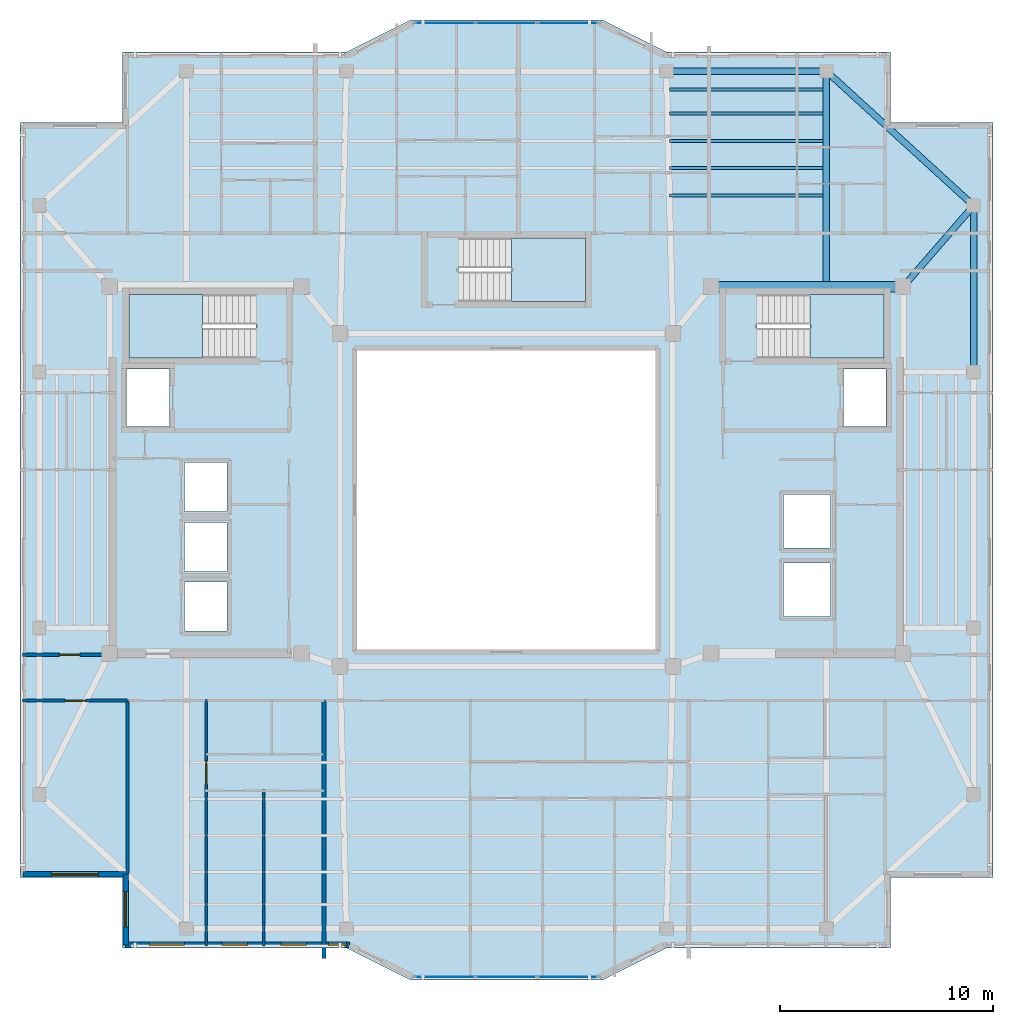
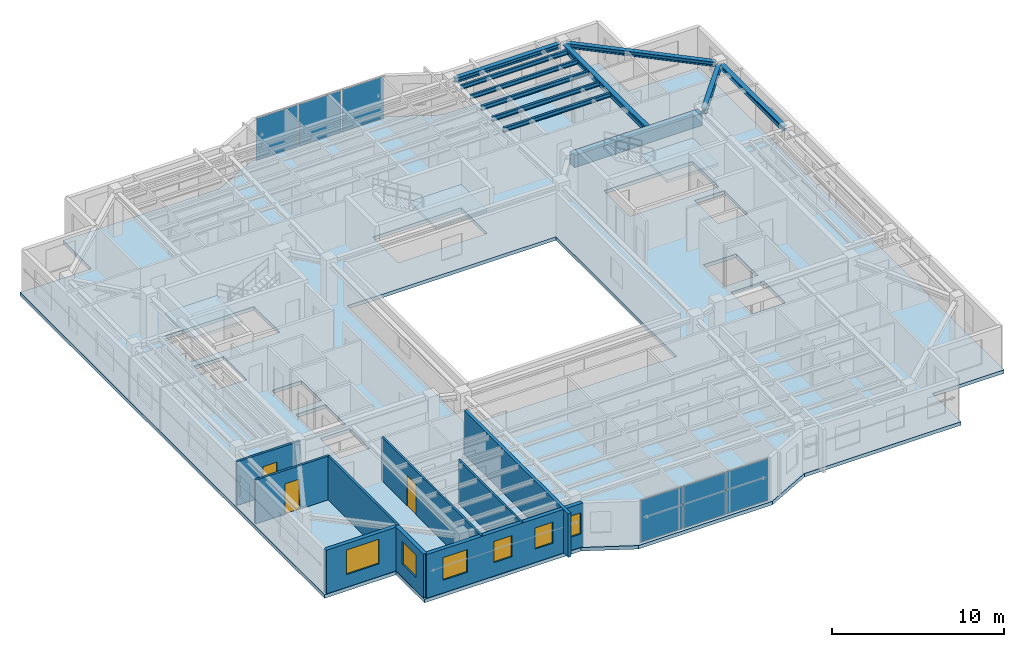
# One storey, part 5 of 15: 11 beams, 9 walls, 6 plates, 6 windows, 4 slabs, 3 doors, 9 openings, 5 elements without a shape of their own.
"""IFC4 building model written with IfcOpenShell, lengths in metres."""

from ifc_helpers import new_model, si_unit, direction, frame, frame_2d, origin, origin_2d, place, context, subcontext, project, spatial, polyline, rectangle, i_section, outline, extrude, material, layer, layer_set, material_profile, profile_set, type_object, element, fill, aggregate, save


model = new_model("IFC4")

# Units and contexts
model_context = context("Model", 3, precision=1e-05, world=origin(), true_north=direction((0.0, 1.0)))
body_context = subcontext(model_context, "Body", "Model", "MODEL_VIEW")
ifc_project = project(units=[si_unit("LENGTHUNIT", "METRE"), si_unit("AREAUNIT", "SQUARE_METRE"), si_unit("VOLUMEUNIT", "CUBIC_METRE"), si_unit("PLANEANGLEUNIT", "RADIAN"), si_unit("MASSUNIT", "GRAM", prefix="KILO")], contexts=[model_context])

# Site, building, storey
site_placement = place(None, origin())
site = spatial("IfcSite", under=ifc_project, at=site_placement, CompositionType="ELEMENT")
building_placement = place(site_placement, origin())
building = spatial("IfcBuilding", under=site, at=building_placement, Name="Tarnavaz Court Tower", CompositionType="ELEMENT")
storey_placement = place(building_placement, frame((0.0, 0.0, 244.85009765625)))
storey = spatial("IfcBuildingStorey", under=building, at=storey_placement, Name="L66", CompositionType="ELEMENT", Elevation=244.85009765625)

# Beams
ifc_material_1 = material(Name="Concrete C50/60", Category="concrete")
ifc_material_profile_1 = material_profile(ifc_material_1, rectangle(XDim=0.5, YDim=0.85009765625, at=origin_2d()), Name="RC 500X850")
ifc_profile_set_1 = profile_set([ifc_material_profile_1], Name="Concrete C50/60")
beam_type_1 = type_object("IfcBeamType", Name="BM-CB850", PredefinedType="LINTEL", material=ifc_profile_set_1)
beam_1_placement = place(storey_placement, frame((18.3798828125, 10.0, 2.6748046875), z_axis=(-1.0, 0.0, 0.0), x_axis=(0.0, -1.0, 0.0)))
element("IfcBeam", 1, at=beam_1_placement, inside=storey, type_object=beam_type_1, Name="L66 Beam IN-CE-NO-CE-NI", PredefinedType="LINTEL", context=body_context, shape_type="SweptSolid", body=[
    extrude(rectangle(XDim=0.5, YDim=0.85009765625, at=origin_2d()), origin(), (0.0, 0.0, 1.0), 8.559814453125),
])
ifc_material_2 = material(Name="Steel S355", Category="steel")
ifc_material_profile_2 = material_profile(ifc_material_2, i_section(OverallWidth=0.300048828125, OverallDepth=0.39990234375, WebThickness=0.013427734375, FlangeThickness=0.02392578125, FilletRadius=0.027099609375, at=origin_2d()), Name="HEB 400")
ifc_profile_set_2 = profile_set([ifc_material_profile_2], Name="Steel S355")
beam_type_2 = type_object("IfcBeamType", Name="BM-G-HEB400", PredefinedType="USERDEFINED", material=ifc_profile_set_2)
beam_2_placement = place(storey_placement, frame((15.0, 10.0400390625, 2.89990234375), z_axis=(0.0, 1.0, 0.0), x_axis=(-1.0, 0.0, 0.0)))
element("IfcBeam", 2, at=beam_2_placement, inside=storey, type_object=beam_type_2, Name="L66 Beam RG-04", ObjectType="GIRDER", PredefinedType="USERDEFINED", context=body_context, shape_type="SweptSolid", body=[
    extrude(i_section(OverallWidth=0.300048828125, OverallDepth=0.39990234375, WebThickness=0.013427734375, FlangeThickness=0.02392578125, FilletRadius=0.027099609375, at=origin_2d()), origin(), (0.0, 0.0, 1.0), 9.83984375),
])
beam_3_placement = place(storey_placement, frame((18.744384765625, 10.166015625, 2.89990234375), z_axis=(0.65565475567, 0.755060819648, 0.0), x_axis=(-0.755060819648, 0.65565475567, 0.0)))
element("IfcBeam", 3, at=beam_3_placement, inside=storey, type_object=beam_type_2, Name="L66 Beam RG-12", ObjectType="GIRDER", PredefinedType="USERDEFINED", context=body_context, shape_type="SweptSolid", body=[
    extrude(i_section(OverallWidth=0.300048828125, OverallDepth=0.39990234375, WebThickness=0.013427734375, FlangeThickness=0.02392578125, FilletRadius=0.027099609375, at=origin_2d()), origin(), (0.0, 0.0, 1.0), 4.5927734375),
])
ifc_material_profile_3 = material_profile(ifc_material_2, i_section(OverallWidth=0.14990234375, OverallDepth=0.300048828125, WebThickness=0.007080078125, FlangeThickness=0.0107421875, FilletRadius=0.014892578125, at=origin_2d()), Name="IPE 300")
ifc_profile_set_3 = profile_set([ifc_material_profile_3], Name="Steel S355")
beam_type_3 = type_object("IfcBeamType", Name="BM-J-IPE300", PredefinedType="JOIST", material=ifc_profile_set_3)
for number, where, z_axis, x_axis, name in (
    (4, (7.64990234375, 14.278076171875, 2.949951171875), (1.0, 0.0, 0.0), (0.0, 1.0, 0.0), "L66 Beam JN1-3"),
    (5, (7.64990234375, 15.555908203125, 2.949951171875), (1.0, 0.0, 0.0), (0.0, 1.0, 0.0), "L66 Beam JN2-3"),
    (6, (7.64990234375, 16.833984375, 2.949951171875), (1.0, 0.0, 0.0), (0.0, 1.0, 0.0), "L66 Beam JN3-3"),
    (7, (7.64990234375, 18.112060546875, 2.949951171875), (1.0, 0.0, 0.0), (0.0, 1.0, 0.0), "L66 Beam JN4-3"),
    (8, (7.64990234375, 19.248046875, 2.949951171875), (1.0, 0.0, 0.0), (0.0, 1.0, 0.0), "L66 Beam JN5-3"),
):
    element("IfcBeam", number, at=place(storey_placement, frame(where, z_axis=z_axis, x_axis=x_axis)), inside=storey, type_object=beam_type_3, Name=name, PredefinedType="JOIST", context=body_context, shape_type="SweptSolid", body=[
        extrude(i_section(OverallWidth=0.14990234375, OverallDepth=0.300048828125, WebThickness=0.007080078125, FlangeThickness=0.0107421875, FilletRadius=0.014892578125, at=origin_2d()), origin(), (0.0, 0.0, 1.0), 7.2001953125),
    ])
ifc_material_profile_4 = material_profile(ifc_material_2, i_section(OverallWidth=0.300048828125, OverallDepth=0.330078125, WebThickness=0.009521484375, FlangeThickness=0.0166015625, FilletRadius=0.027099609375, at=origin_2d()), Name="HEA 340")
ifc_profile_set_4 = profile_set([ifc_material_profile_4], Name="Steel S355")
beam_type_4 = type_object("IfcBeamType", Name="BM-SP-HEA340", PredefinedType="BEAM", material=ifc_profile_set_4)
beam_4_placement = place(storey_placement, frame((7.719970703125, 20.10009765625, 2.934814453125), z_axis=(1.0, 0.0, 0.0), x_axis=(0.0, 1.0, 0.0)))
element("IfcBeam", 9, at=beam_4_placement, inside=storey, type_object=beam_type_4, Name="L66 Beam PR-PN-3-PN-4", PredefinedType="BEAM", context=body_context, shape_type="SweptSolid", body=[
    extrude(i_section(OverallWidth=0.300048828125, OverallDepth=0.330078125, WebThickness=0.009521484375, FlangeThickness=0.0166015625, FilletRadius=0.027099609375, at=origin_2d()), origin(), (0.0, 0.0, 1.0), 7.06005859375),
])
beam_5_placement = place(storey_placement, frame((21.89990234375, 6.219970703125, 2.934814453125), z_axis=(0.0, 1.0, 0.0), x_axis=(-1.0, 0.0, 0.0)))
element("IfcBeam", 10, at=beam_5_placement, inside=storey, type_object=beam_type_4, Name="L66 Beam PR-PE-3-PE-4", PredefinedType="BEAM", context=body_context, shape_type="SweptSolid", body=[
    extrude(i_section(OverallWidth=0.300048828125, OverallDepth=0.330078125, WebThickness=0.009521484375, FlangeThickness=0.0166015625, FilletRadius=0.027099609375, at=origin_2d()), origin(), (0.0, 0.0, 1.0), 7.360107421875),
])
beam_6_placement = place(storey_placement, frame((15.16259765625, 19.95166015625, 2.934814453125), z_axis=(0.738474214476, -0.674281717499, 0.0), x_axis=(0.674281717499, 0.738474214476, 0.0)))
element("IfcBeam", 11, at=beam_6_placement, inside=storey, type_object=beam_type_4, Name="L66 Beam PR-PN-4-PE-4", PredefinedType="BEAM", context=body_context, shape_type="SweptSolid", body=[
    extrude(i_section(OverallWidth=0.300048828125, OverallDepth=0.330078125, WebThickness=0.009521484375, FlangeThickness=0.0166015625, FilletRadius=0.027099609375, at=origin_2d()), origin(), (0.0, 0.0, 1.0), 8.9033203125),
])

# Curtain wall, plates
ifc_material_3 = material(Name="Anodised Aluminium 6063-T6 and Solar Low-E Glazing", Category="aluminium")
ifc_layer_1 = layer(ifc_material_3, 0.159912109375)
ifc_layer_set_1 = layer_set([ifc_layer_1], Name="Anodised Aluminium 6063-T6 and Solar Low-E Glazing")
curtain_wall_type = type_object("IfcCurtainWallType", Name="CW-SYS-03", PredefinedType="NOTDEFINED", material=ifc_layer_set_1)
curtain_wall_1_placement = place(storey_placement, origin())
curtain_wall_1 = element("IfcCurtainWall", 12, at=curtain_wall_1_placement, inside=storey, type_object=curtain_wall_type, Name="L66 Iwan Prow Curtain Wall 7", PredefinedType="NOTDEFINED")
ifc_material_4 = material(Name="Double-Glazed Solar Low-E Glass", Category="glass")
ifc_layer_2 = layer(ifc_material_4, 0.028076171875)
ifc_layer_set_2 = layer_set([ifc_layer_2], Name="Double-Glazed Solar Low-E Glass")
plate_type = type_object("IfcPlateType", Name="CW-PAN-GLZ28", PredefinedType="CURTAIN_PANEL", material=ifc_layer_set_2)
plate_1_placement = place(storey_placement, frame((-2.88134765625, 22.35009765625, 0.06494140625), z_axis=(0.0, 0.0, 1.0), x_axis=(1.0, 0.0, 0.0)))
plate_1 = element("IfcPlate", 13, at=plate_1_placement, type_object=plate_type, Name="CW panel 1.1", PredefinedType="CURTAIN_PANEL", context=body_context, shape_type="SweptSolid", body=[
    extrude(rectangle(XDim=2.78759765625, YDim=0.028076171875, at=origin_2d()), origin(), (0.0, 0.0, 1.0), 2.969970703125),
])
plate_2_placement = place(storey_placement, frame((0.0, 22.35009765625, 0.06494140625), z_axis=(0.0, 0.0, 1.0), x_axis=(1.0, 0.0, 0.0)))
plate_2 = element("IfcPlate", 14, at=plate_2_placement, type_object=plate_type, Name="CW panel 2.1", PredefinedType="CURTAIN_PANEL", context=body_context, shape_type="SweptSolid", body=[
    extrude(rectangle(XDim=2.824951171875, YDim=0.028076171875, at=origin_2d()), origin(), (0.0, 0.0, 1.0), 2.969970703125),
])
plate_3_placement = place(storey_placement, frame((2.88134765625, 22.35009765625, 0.06494140625), z_axis=(0.0, 0.0, 1.0), x_axis=(1.0, 0.0, 0.0)))
plate_3 = element("IfcPlate", 15, at=plate_3_placement, type_object=plate_type, Name="CW panel 3.1", PredefinedType="CURTAIN_PANEL", context=body_context, shape_type="SweptSolid", body=[
    extrude(rectangle(XDim=2.78759765625, YDim=0.028076171875, at=origin_2d()), origin(), (0.0, 0.0, 1.0), 2.969970703125),
])
aggregate(curtain_wall_1, [plate_1, plate_2, plate_3])

curtain_wall_2_placement = place(storey_placement, origin())
curtain_wall_2 = element("IfcCurtainWall", 16, at=curtain_wall_2_placement, inside=storey, type_object=curtain_wall_type, Name="L66 Iwan Prow Curtain Wall 17", PredefinedType="NOTDEFINED")
plate_4_placement = place(storey_placement, frame((2.88134765625, -22.35009765625, 0.06494140625), z_axis=(0.0, 0.0, 1.0), x_axis=(-1.0, 0.0, 0.0)))
plate_4 = element("IfcPlate", 17, at=plate_4_placement, type_object=plate_type, Name="CW panel 1.1", PredefinedType="CURTAIN_PANEL", context=body_context, shape_type="SweptSolid", body=[
    extrude(rectangle(XDim=2.78759765625, YDim=0.028076171875, at=origin_2d()), origin(), (0.0, 0.0, 1.0), 2.969970703125),
])
plate_5_placement = place(storey_placement, frame((0.0, -22.35009765625, 0.06494140625), z_axis=(0.0, 0.0, 1.0), x_axis=(-1.0, 0.0, 0.0)))
plate_5 = element("IfcPlate", 18, at=plate_5_placement, type_object=plate_type, Name="CW panel 2.1", PredefinedType="CURTAIN_PANEL", context=body_context, shape_type="SweptSolid", body=[
    extrude(rectangle(XDim=2.824951171875, YDim=0.028076171875, at=origin_2d()), origin(), (0.0, 0.0, 1.0), 2.969970703125),
])
plate_6_placement = place(storey_placement, frame((-2.88134765625, -22.35009765625, 0.06494140625), z_axis=(0.0, 0.0, 1.0), x_axis=(-1.0, 0.0, 0.0)))
plate_6 = element("IfcPlate", 19, at=plate_6_placement, type_object=plate_type, Name="CW panel 3.1", PredefinedType="CURTAIN_PANEL", context=body_context, shape_type="SweptSolid", body=[
    extrude(rectangle(XDim=2.78759765625, YDim=0.028076171875, at=origin_2d()), origin(), (0.0, 0.0, 1.0), 2.969970703125),
])
aggregate(curtain_wall_2, [plate_4, plate_5, plate_6])

# Stair, slab
ifc_material_5 = material(Name="Concrete C40/50", Category="concrete")
stair_type = type_object("IfcStairType", Name="ST-TWR-20R", PredefinedType="HALF_TURN_STAIR", material=ifc_material_5)
stair_1_placement = place(storey_placement, origin())
stair_1 = element("IfcStair", 20, at=stair_1_placement, inside=storey, type_object=stair_type, Name="L66 West Core Pressurized Exit Stair ST-W1", PredefinedType="HALF_TURN_STAIR")
ifc_layer_3 = layer(ifc_material_5, 0.199951171875)
ifc_layer_set_3 = layer_set([ifc_layer_3], Name="Concrete C40/50")
slab_type_1 = type_object("IfcSlabType", Name="SL-LAND-200", PredefinedType="LANDING", material=ifc_layer_set_3)
slab_1_placement = place(storey_placement, frame((0.0, 0.0, 1.474853515625)))
slab_1 = element("IfcSlab", 21, at=slab_1_placement, type_object=slab_type_1, Name="ST-W1 landing 1", PredefinedType="LANDING", context=body_context, shape_type="SweptSolid", body=[
    extrude(outline(polyline([(-14.239990234375, 9.639892578125), (-17.699951171875, 9.639892578125), (-17.699951171875, 6.64990234375), (-14.239990234375, 6.64990234375), (-14.239990234375, 9.639892578125)])), origin(), (0.0, 0.0, 1.0), 0.199951171875),
])
aggregate(stair_1, [slab_1])

stair_2_placement = place(storey_placement, origin())
stair_2 = element("IfcStair", 22, at=stair_2_placement, inside=storey, type_object=stair_type, Name="L66 East Core Pressurized Exit Stair ST-E1", PredefinedType="HALF_TURN_STAIR")
slab_2_placement = place(storey_placement, frame((0.0, 0.0, 1.474853515625)))
slab_2 = element("IfcSlab", 23, at=slab_2_placement, type_object=slab_type_1, Name="ST-E1 landing 1", PredefinedType="LANDING", context=body_context, shape_type="SweptSolid", body=[
    extrude(outline(polyline([(14.239990234375, 6.64990234375), (17.699951171875, 6.64990234375), (17.699951171875, 9.639892578125), (14.239990234375, 9.639892578125), (14.239990234375, 6.64990234375)])), origin(), (0.0, 0.0, 1.0), 0.199951171875),
])
aggregate(stair_2, [slab_2])

stair_3_placement = place(storey_placement, origin())
stair_3 = element("IfcStair", 24, at=stair_3_placement, inside=storey, type_object=stair_type, Name="L66 North Ring Pressurized Exit Stair ST-N1", PredefinedType="HALF_TURN_STAIR")
slab_3_placement = place(storey_placement, frame((0.0, 0.0, 1.474853515625)))
slab_3 = element("IfcSlab", 25, at=slab_3_placement, type_object=slab_type_1, Name="ST-N1 landing 1", PredefinedType="LANDING", context=body_context, shape_type="SweptSolid", body=[
    extrude(outline(polyline([(0.239990234375, 9.300048828125), (3.699951171875, 9.300048828125), (3.699951171875, 12.2900390625), (0.239990234375, 12.2900390625), (0.239990234375, 9.300048828125)])), origin(), (0.0, 0.0, 1.0), 0.199951171875),
])
aggregate(stair_3, [slab_3])

# Slab
ifc_layer_4 = layer(ifc_material_5, 0.25)
ifc_layer_set_4 = layer_set([ifc_layer_4], Name="Concrete C40/50")
slab_type_2 = type_object("IfcSlabType", Name="SL-RES-250", PredefinedType="FLOOR", material=ifc_layer_set_4)
slab_4_placement = place(storey_placement, frame((0.0, 0.0, -0.25)))
element("IfcSlab", 26, at=slab_4_placement, inside=storey, type_object=slab_type_2, Name="L66 Structural Floor Slab", PredefinedType="FLOOR", context=body_context, shape_type="SweptSolid", body=[
    extrude(outline(polyline([(-18.0, -21.0), (-7.5, -21.0), (-4.5, -22.5), (4.5, -22.5), (7.5, -21.0), (18.0, -21.0), (18.0, -17.699951171875), (22.800048828125, -17.699951171875), (22.800048828125, 17.699951171875), (18.0, 17.699951171875), (18.0, 21.0), (7.5, 21.0), (4.5, 22.5), (-4.5, 22.5), (-7.5, 21.0), (-18.0, 21.0), (-18.0, 17.699951171875), (-22.800048828125, 17.699951171875), (-22.800048828125, -17.699951171875), (-18.0, -17.699951171875), (-18.0, -21.0)]), holes=[polyline([(-7.0, -7.0), (7.0, -7.0), (7.0, 7.0), (-7.0, 7.0), (-7.0, -7.0)]), polyline([(-11.7451171875, 9.639892578125), (-17.699951171875, 9.639892578125), (-17.699951171875, 6.64990234375), (-11.7451171875, 6.64990234375), (-11.7451171875, 9.639892578125)]), polyline([(11.7451171875, 6.64990234375), (17.699951171875, 6.64990234375), (17.699951171875, 9.639892578125), (11.7451171875, 9.639892578125), (11.7451171875, 6.64990234375)]), polyline([(-2.2548828125, 9.300048828125), (3.699951171875, 9.300048828125), (3.699951171875, 12.2900390625), (-2.2548828125, 12.2900390625), (-2.2548828125, 9.300048828125)]), polyline([(-17.800048828125, 3.449951171875), (-15.800048828125, 3.449951171875), (-15.800048828125, 6.14990234375), (-17.800048828125, 6.14990234375), (-17.800048828125, 3.449951171875)]), polyline([(-15.10009765625, -6.14990234375), (-13.10009765625, -6.14990234375), (-13.10009765625, -3.85009765625), (-15.10009765625, -3.85009765625), (-15.10009765625, -6.14990234375)]), polyline([(-15.10009765625, -3.35009765625), (-13.10009765625, -3.35009765625), (-13.10009765625, -1.050048828125), (-15.10009765625, -1.050048828125), (-15.10009765625, -3.35009765625)]), polyline([(-15.10009765625, -0.550048828125), (-13.10009765625, -0.550048828125), (-13.10009765625, 1.75), (-15.10009765625, 1.75), (-15.10009765625, -0.550048828125)]), polyline([(15.800048828125, 3.449951171875), (17.800048828125, 3.449951171875), (17.800048828125, 6.14990234375), (15.800048828125, 6.14990234375), (15.800048828125, 3.449951171875)]), polyline([(13.0, -5.449951171875), (15.199951171875, -5.449951171875), (15.199951171875, -2.949951171875), (13.0, -2.949951171875), (13.0, -5.449951171875)]), polyline([(13.0, -2.25), (15.199951171875, -2.25), (15.199951171875, 0.25), (13.0, 0.25), (13.0, -2.25)])]), origin(), (0.0, 0.0, 1.0), 0.25),
])

# Wall, opening, window
ifc_material_6 = material(Name="Precast Concrete C40/50", Category="concrete")
ifc_layer_5 = layer(ifc_material_6, 0.260009765625)
ifc_layer_set_5 = layer_set([ifc_layer_5], Name="Precast Concrete C40/50")
wall_type_1 = type_object("IfcWallType", Name="WL-EXT-260", PredefinedType="SOLIDWALL", material=ifc_layer_set_5)
wall_1_placement = place(storey_placement, frame((-17.85009765625, -17.550048828125, 0.0), z_axis=(0.0, 0.0, 1.0), x_axis=(-1.0, 0.0, 0.0)))
wall_1 = element("IfcWall", 27, at=wall_1_placement, inside=storey, type_object=wall_type_1, Name="L66 Exterior Terracotta Facade Wall 01", PredefinedType="SOLIDWALL", context=body_context, shape_type="SweptSolid", body=[
    extrude(rectangle(XDim=4.7998046875, YDim=0.260009765625, at=frame_2d((2.39990234375, 0.0))), origin(), (0.0, 0.0, 1.0), 3.099853515625),
])
opening_1_placement = place(wall_1_placement, frame((1.274658203125, 0.0, 0.89990234375)))
opening_1 = element("IfcOpeningElement", 28, at=opening_1_placement, cuts=wall_1, Name="Opening W07", PredefinedType="OPENING", context=body_context, shape_type="SweptSolid", body=[
    extrude(rectangle(XDim=2.199951171875, YDim=1.75, at=frame_2d((1.10009765625, 0.875))), frame((0.0, 0.139892578125, 0.0), z_axis=(0.0, -1.0, 0.0), x_axis=(1.0, 0.0, 0.0)), (0.0, 0.0, 1.0), 0.280029296875),
])
window_type_1 = type_object("IfcWindowType", Name="WN-APT-2200", PartitioningType="TRIPLE_PANEL_VERTICAL", PredefinedType="WINDOW", material=ifc_material_4)
window_1_placement = place(opening_1_placement, origin())
window_1 = element("IfcWindow", 29, at=window_1_placement, inside=storey, type_object=window_type_1, Name="L66 South-West Corner Reading Room Window", OverallHeight=1.75, OverallWidth=2.199951171875, PartitioningType="SINGLE_PANEL", PredefinedType="WINDOW", context=body_context, shape_type="SweptSolid", body=[
    extrude(rectangle(XDim=2.199951171875, YDim=1.75, at=frame_2d((1.10009765625, 0.875))), frame((0.0, 0.030029296875, 0.0), z_axis=(0.0, -1.0, 0.0), x_axis=(1.0, 0.0, 0.0)), (0.0, 0.0, 1.0), 0.06005859375),
])
fill(opening_1, window_1)

# Wall, openings, windows
wall_2_placement = place(storey_placement, frame((-7.35009765625, -20.85009765625, 0.0), z_axis=(0.0, 0.0, 1.0), x_axis=(-1.0, 0.0, 0.0)))
wall_2 = element("IfcWall", 30, at=wall_2_placement, inside=storey, type_object=wall_type_1, Name="L66 Exterior Terracotta Facade Wall 19", PredefinedType="SOLIDWALL", context=body_context, shape_type="SweptSolid", body=[
    extrude(rectangle(XDim=10.5, YDim=0.260009765625, at=frame_2d((5.25, 0.0))), origin(), (0.0, 0.0, 1.0), 3.099853515625),
])
opening_2_placement = place(wall_2_placement, frame((0.14501953125, 0.0, 0.949951171875)))
opening_2 = element("IfcOpeningElement", 31, at=opening_2_placement, cuts=wall_2, Name="Opening W15", PredefinedType="OPENING", context=body_context, shape_type="SweptSolid", body=[
    extrude(rectangle(XDim=0.85009765625, YDim=1.5, at=frame_2d((0.425048828125, 0.75))), frame((0.0, 0.139892578125, 0.0), z_axis=(0.0, -1.0, 0.0), x_axis=(1.0, 0.0, 0.0)), (0.0, 0.0, 1.0), 0.280029296875),
])
opening_3_placement = place(wall_2_placement, frame((2.02490234375, 0.0, 0.949951171875)))
opening_3 = element("IfcOpeningElement", 32, at=opening_3_placement, cuts=wall_2, Name="Opening W05", PredefinedType="OPENING", context=body_context, shape_type="SweptSolid", body=[
    extrude(rectangle(XDim=1.199951171875, YDim=1.5, at=frame_2d((0.60009765625, 0.75))), frame((0.0, 0.139892578125, 0.0), z_axis=(0.0, -1.0, 0.0), x_axis=(1.0, 0.0, 0.0)), (0.0, 0.0, 1.0), 0.280029296875),
])
opening_4_placement = place(wall_2_placement, frame((4.77490234375, 0.0, 0.949951171875)))
opening_4 = element("IfcOpeningElement", 33, at=opening_4_placement, cuts=wall_2, Name="Opening W05", PredefinedType="OPENING", context=body_context, shape_type="SweptSolid", body=[
    extrude(rectangle(XDim=1.199951171875, YDim=1.5, at=frame_2d((0.60009765625, 0.75))), frame((0.0, 0.139892578125, 0.0), z_axis=(0.0, -1.0, 0.0), x_axis=(1.0, 0.0, 0.0)), (0.0, 0.0, 1.0), 0.280029296875),
])
opening_5_placement = place(wall_2_placement, frame((7.75, 0.0, 0.89990234375)))
opening_5 = element("IfcOpeningElement", 34, at=opening_5_placement, cuts=wall_2, Name="Opening W02", PredefinedType="OPENING", context=body_context, shape_type="SweptSolid", body=[
    extrude(rectangle(XDim=1.64990234375, YDim=1.60009765625, at=frame_2d((0.824951171875, 0.800048828125))), frame((0.0, 0.139892578125, 0.0), z_axis=(0.0, -1.0, 0.0), x_axis=(1.0, 0.0, 0.0)), (0.0, 0.0, 1.0), 0.280029296875),
])
window_type_2 = type_object("IfcWindowType", Name="WN-APT-1200", PartitioningType="SINGLE_PANEL", PredefinedType="WINDOW", material=ifc_material_4)
window_2_placement = place(opening_3_placement, origin())
window_2 = element("IfcWindow", 35, at=window_2_placement, inside=storey, type_object=window_type_2, Name="L66 Flat 05 Bedroom 2 Window", OverallHeight=1.5, OverallWidth=1.199951171875, PartitioningType="SINGLE_PANEL", PredefinedType="WINDOW", context=body_context, shape_type="SweptSolid", body=[
    extrude(rectangle(XDim=1.199951171875, YDim=1.5, at=frame_2d((0.60009765625, 0.75))), frame((0.0, 0.030029296875, 0.0), z_axis=(0.0, -1.0, 0.0), x_axis=(1.0, 0.0, 0.0)), (0.0, 0.0, 1.0), 0.06005859375),
])
fill(opening_3, window_2)
window_3_placement = place(opening_4_placement, origin())
window_3 = element("IfcWindow", 36, at=window_3_placement, inside=storey, type_object=window_type_2, Name="L66 Flat 05 Principal Bedroom Window", OverallHeight=1.5, OverallWidth=1.199951171875, PartitioningType="SINGLE_PANEL", PredefinedType="WINDOW", context=body_context, shape_type="SweptSolid", body=[
    extrude(rectangle(XDim=1.199951171875, YDim=1.5, at=frame_2d((0.60009765625, 0.75))), frame((0.0, 0.030029296875, 0.0), z_axis=(0.0, -1.0, 0.0), x_axis=(1.0, 0.0, 0.0)), (0.0, 0.0, 1.0), 0.06005859375),
])
fill(opening_4, window_3)
window_type_3 = type_object("IfcWindowType", Name="WN-APT-1650", PartitioningType="DOUBLE_PANEL_VERTICAL", PredefinedType="WINDOW", material=ifc_material_4)
window_4_placement = place(opening_5_placement, origin())
window_4 = element("IfcWindow", 37, at=window_4_placement, inside=storey, type_object=window_type_3, Name="L66 Flat 05 Living and Dining Room Window", OverallHeight=1.60009765625, OverallWidth=1.64990234375, PartitioningType="SINGLE_PANEL", PredefinedType="WINDOW", context=body_context, shape_type="SweptSolid", body=[
    extrude(rectangle(XDim=1.64990234375, YDim=1.60009765625, at=frame_2d((0.824951171875, 0.800048828125))), frame((0.0, 0.030029296875, 0.0), z_axis=(0.0, -1.0, 0.0), x_axis=(1.0, 0.0, 0.0)), (0.0, 0.0, 1.0), 0.06005859375),
])
fill(opening_5, window_4)
window_type_4 = type_object("IfcWindowType", Name="WN-APT-850", PartitioningType="SINGLE_PANEL", PredefinedType="WINDOW", material=ifc_material_4)
window_5_placement = place(opening_2_placement, origin())
window_5 = element("IfcWindow", 38, at=window_5_placement, inside=storey, type_object=window_type_4, Name="L66 Flat 07 Living and Dining Room Window", OverallHeight=1.5, OverallWidth=0.85009765625, PartitioningType="SINGLE_PANEL", PredefinedType="WINDOW", context=body_context, shape_type="SweptSolid", body=[
    extrude(rectangle(XDim=0.85009765625, YDim=1.5, at=frame_2d((0.425048828125, 0.75))), frame((0.0, 0.030029296875, 0.0), z_axis=(0.0, -1.0, 0.0), x_axis=(1.0, 0.0, 0.0)), (0.0, 0.0, 1.0), 0.06005859375),
])
fill(opening_2, window_5)

# Wall, opening, window
wall_3_placement = place(storey_placement, frame((-17.85009765625, -20.85009765625, 0.0), z_axis=(0.0, 0.0, 1.0), x_axis=(0.0, 1.0, 0.0)))
wall_3 = element("IfcWall", 39, at=wall_3_placement, inside=storey, type_object=wall_type_1, Name="L66 Exterior Terracotta Facade Wall 20", PredefinedType="SOLIDWALL", context=body_context, shape_type="SweptSolid", body=[
    extrude(rectangle(XDim=3.300048828125, YDim=0.260009765625, at=frame_2d((1.64990234375, 0.0))), origin(), (0.0, 0.0, 1.0), 3.099853515625),
])
opening_6_placement = place(wall_3_placement, frame((0.842529296875, 0.0, 0.89990234375)))
opening_6 = element("IfcOpeningElement", 40, at=opening_6_placement, cuts=wall_3, Name="Opening W02", PredefinedType="OPENING", context=body_context, shape_type="SweptSolid", body=[
    extrude(rectangle(XDim=1.64990234375, YDim=1.60009765625, at=frame_2d((0.824951171875, 0.800048828125))), frame((0.0, 0.139892578125, 0.0), z_axis=(0.0, -1.0, 0.0), x_axis=(1.0, 0.0, 0.0)), (0.0, 0.0, 1.0), 0.280029296875),
])
window_6_placement = place(opening_6_placement, origin())
window_6 = element("IfcWindow", 41, at=window_6_placement, inside=storey, type_object=window_type_3, Name="L66 Flat 05 Living and Dining Room Window", OverallHeight=1.60009765625, OverallWidth=1.64990234375, PartitioningType="SINGLE_PANEL", PredefinedType="WINDOW", context=body_context, shape_type="SweptSolid", body=[
    extrude(rectangle(XDim=1.64990234375, YDim=1.60009765625, at=frame_2d((0.824951171875, 0.800048828125))), frame((0.0, 0.030029296875, 0.0), z_axis=(0.0, -1.0, 0.0), x_axis=(1.0, 0.0, 0.0)), (0.0, 0.0, 1.0), 0.06005859375),
])
fill(opening_6, window_6)

# Wall, opening, door
ifc_material_7 = material(Name="Gypsum Fire-Board on Acoustic Metal Stud", Category="masonry")
ifc_layer_6 = layer(ifc_material_7, 0.14990234375)
ifc_layer_set_6 = layer_set([ifc_layer_6], Name="Gypsum Fire-Board on Acoustic Metal Stud")
wall_type_2 = type_object("IfcWallType", Name="WL-FIRE-150", PredefinedType="PARTITIONING", material=ifc_layer_set_6)
wall_4_placement = place(storey_placement, frame((-22.679931640625, -7.25, 0.0), z_axis=(0.0, 0.0, 1.0), x_axis=(1.0, 0.0, 0.0)))
wall_4 = element("IfcWall", 42, at=wall_4_placement, inside=storey, type_object=wall_type_2, Name="L66 Interior Partition 108", PredefinedType="PARTITIONING", context=body_context, shape_type="SweptSolid", body=[
    extrude(rectangle(XDim=4.22998046875, YDim=0.14990234375, at=frame_2d((2.114990234375, 0.0))), origin(), (0.0, 0.0, 1.0), 3.099853515625),
])
opening_7_placement = place(wall_4_placement, frame((1.72998046875, 0.0, 0.0)))
opening_7 = element("IfcOpeningElement", 43, at=opening_7_placement, cuts=wall_4, Name="Opening D06", PredefinedType="OPENING", context=body_context, shape_type="SweptSolid", body=[
    extrude(rectangle(XDim=0.9599609375, YDim=2.14990234375, at=frame_2d((0.47998046875, 1.074951171875))), frame((0.0, 0.0849609375, 0.0), z_axis=(0.0, -1.0, 0.0), x_axis=(1.0, 0.0, 0.0)), (0.0, 0.0, 1.0), 0.169921875),
])
ifc_material_8 = material(Name="Fire-Rated Hardwood Timber Core", Category="wood")
door_type_1 = type_object("IfcDoorType", Name="DR-FD60-950", OperationType="NOTDEFINED", PredefinedType="DOOR", material=ifc_material_8)
door_1_placement = place(opening_7_placement, origin())
door_1 = element("IfcDoor", 44, at=door_1_placement, inside=storey, type_object=door_type_1, Name="L66 Flat 08 Entrance Door", OperationType="SINGLE_SWING_RIGHT", OverallHeight=2.14990234375, OverallWidth=0.9599609375, PredefinedType="DOOR", context=body_context, shape_type="SweptSolid", body=[
    extrude(rectangle(XDim=0.9599609375, YDim=2.14990234375, at=frame_2d((0.47998046875, 1.074951171875))), frame((0.0, 0.02490234375, 0.0), z_axis=(0.0, -1.0, 0.0), x_axis=(1.0, 0.0, 0.0)), (0.0, 0.0, 1.0), 0.050048828125),
])
fill(opening_7, door_1)

wall_5_placement = place(storey_placement, frame((-22.679931640625, -9.39990234375, 0.0), z_axis=(0.0, 0.0, 1.0), x_axis=(1.0, 0.0, 0.0)))
wall_5 = element("IfcWall", 45, at=wall_5_placement, inside=storey, type_object=wall_type_2, Name="L66 Interior Partition 118", PredefinedType="PARTITIONING", context=body_context, shape_type="SweptSolid", body=[
    extrude(rectangle(XDim=4.929931640625, YDim=0.14990234375, at=frame_2d((2.46484375, 0.0))), origin(), (0.0, 0.0, 1.0), 3.099853515625),
])
opening_8_placement = place(wall_5_placement, frame((1.989990234375, 0.0, 0.0)))
opening_8 = element("IfcOpeningElement", 46, at=opening_8_placement, cuts=wall_5, Name="Opening D13", PredefinedType="OPENING", context=body_context, shape_type="SweptSolid", body=[
    extrude(rectangle(XDim=0.949951171875, YDim=2.14990234375, at=frame_2d((0.47509765625, 1.074951171875))), frame((0.0, 0.0849609375, 0.0), z_axis=(0.0, -1.0, 0.0), x_axis=(1.0, 0.0, 0.0)), (0.0, 0.0, 1.0), 0.169921875),
])
ifc_material_9 = material(Name="Engineered Oak Timber", Category="wood")
door_type_2 = type_object("IfcDoorType", Name="DR-INT-950", OperationType="NOTDEFINED", PredefinedType="DOOR", material=ifc_material_9)
door_2_placement = place(opening_8_placement, origin())
door_2 = element("IfcDoor", 47, at=door_2_placement, inside=storey, type_object=door_type_2, Name="L66 SW Reading Room Door", OperationType="SINGLE_SWING_RIGHT", OverallHeight=2.14990234375, OverallWidth=0.949951171875, PredefinedType="DOOR", context=body_context, shape_type="SweptSolid", body=[
    extrude(rectangle(XDim=0.949951171875, YDim=2.14990234375, at=frame_2d((0.47509765625, 1.074951171875))), frame((0.0, 0.02490234375, 0.0), z_axis=(0.0, -1.0, 0.0), x_axis=(1.0, 0.0, 0.0)), (0.0, 0.0, 1.0), 0.050048828125),
])
fill(opening_8, door_2)

# Wall
ifc_material_10 = material(Name="Autoclaved Aerated Concrete Blockwork", Category="masonry")
ifc_layer_7 = layer(ifc_material_10, 0.199951171875)
ifc_layer_set_7 = layer_set([ifc_layer_7], Name="Autoclaved Aerated Concrete Blockwork")
wall_type_3 = type_object("IfcWallType", Name="WL-FIRE-200", PredefinedType="SOLIDWALL", material=ifc_layer_set_7)
wall_6_placement = place(storey_placement, frame((-8.550048828125, -21.50390625, 0.0), z_axis=(0.0, 0.0, 1.0), x_axis=(0.0, 1.0, 0.0)))
element("IfcWall", 48, at=wall_6_placement, inside=storey, type_object=wall_type_3, Name="L66 Party Wall 098", PredefinedType="SOLIDWALL", context=body_context, shape_type="SweptSolid", body=[
    extrude(rectangle(XDim=12.10400390625, YDim=0.199951171875, at=frame_2d((6.052001953125, 0.0))), origin(), (0.0, 0.0, 1.0), 3.099853515625),
])

# Wall, opening, door
ifc_material_11 = material(Name="Moisture-Resistant Gypsum Board Partition", Category="masonry")
ifc_layer_8 = layer(ifc_material_11, 0.1201171875)
ifc_layer_set_8 = layer_set([ifc_layer_8], Name="Moisture-Resistant Gypsum Board Partition")
wall_type_4 = type_object("IfcWallType", Name="WL-PART-120", PredefinedType="PARTITIONING", material=ifc_layer_set_8)
wall_7_placement = place(storey_placement, frame((-14.077880859375, -20.89990234375, 0.0), z_axis=(0.0, 0.0, 1.0), x_axis=(0.0, 1.0, 0.0)))
wall_7 = element("IfcWall", 49, at=wall_7_placement, inside=storey, type_object=wall_type_4, Name="L66 Interior Partition 086", PredefinedType="PARTITIONING", context=body_context, shape_type="SweptSolid", body=[
    extrude(rectangle(XDim=11.559814453125, YDim=0.1201171875, at=frame_2d((5.77978515625, 0.0))), origin(), (0.0, 0.0, 1.0), 3.099853515625),
])
opening_9_placement = place(wall_7_placement, frame((7.56494140625, 0.0, 0.0)))
opening_9 = element("IfcOpeningElement", 50, at=opening_9_placement, cuts=wall_7, Name="Opening D12", PredefinedType="OPENING", context=body_context, shape_type="SweptSolid", body=[
    extrude(rectangle(XDim=1.080078125, YDim=2.14990234375, at=frame_2d((0.5400390625, 1.074951171875))), frame((0.0, 0.070068359375, 0.0), z_axis=(0.0, -1.0, 0.0), x_axis=(1.0, 0.0, 0.0)), (0.0, 0.0, 1.0), 0.14013671875),
])
door_type_3 = type_object("IfcDoorType", Name="DR-INT-1100", OperationType="NOTDEFINED", PredefinedType="DOOR", material=ifc_material_9)
door_3_placement = place(opening_9_placement, origin())
door_3 = element("IfcDoor", 51, at=door_3_placement, inside=storey, type_object=door_type_3, Name="L66 Flat 05 Foyer Door", OperationType="SINGLE_SWING_RIGHT", OverallHeight=2.14990234375, OverallWidth=1.080078125, PredefinedType="DOOR", context=body_context, shape_type="SweptSolid", body=[
    extrude(rectangle(XDim=1.080078125, YDim=2.14990234375, at=frame_2d((0.5400390625, 1.074951171875))), frame((0.0, 0.02490234375, 0.0), z_axis=(0.0, -1.0, 0.0), x_axis=(1.0, 0.0, 0.0)), (0.0, 0.0, 1.0), 0.050048828125),
])
fill(opening_9, door_3)

# Walls
wall_8_placement = place(storey_placement, frame((-11.368896484375, -20.89990234375, 0.0), z_axis=(0.0, 0.0, 1.0), x_axis=(0.0, 1.0, 0.0)))
element("IfcWall", 52, at=wall_8_placement, inside=storey, type_object=wall_type_4, Name="L66 Interior Partition 091", PredefinedType="PARTITIONING", context=body_context, shape_type="SweptSolid", body=[
    extrude(rectangle(XDim=7.33984375, YDim=0.1201171875, at=frame_2d((3.669921875, 0.0))), origin(), (0.0, 0.0, 1.0), 3.099853515625),
])
ifc_material_12 = material(Name="Gypsum Plasterboard Acoustic Partition", Category="masonry")
ifc_layer_9 = layer(ifc_material_12, 0.139892578125)
ifc_layer_set_9 = layer_set([ifc_layer_9], Name="Gypsum Plasterboard Acoustic Partition")
wall_type_5 = type_object("IfcWallType", Name="WL-PART-150", PredefinedType="PARTITIONING", material=ifc_layer_set_9)
wall_9_placement = place(storey_placement, frame((-17.75, -17.550048828125, 0.0), z_axis=(0.0, 0.0, 1.0), x_axis=(0.0, 1.0, 0.0)))
element("IfcWall", 53, at=wall_9_placement, inside=storey, type_object=wall_type_5, Name="L66 Interior Partition 112", PredefinedType="PARTITIONING", context=body_context, shape_type="SweptSolid", body=[
    extrude(rectangle(XDim=8.150146484375, YDim=0.139892578125, at=frame_2d((4.0751953125, 0.0))), origin(), (0.0, 0.0, 1.0), 3.099853515625),
])

save(model, "model.ifc")
